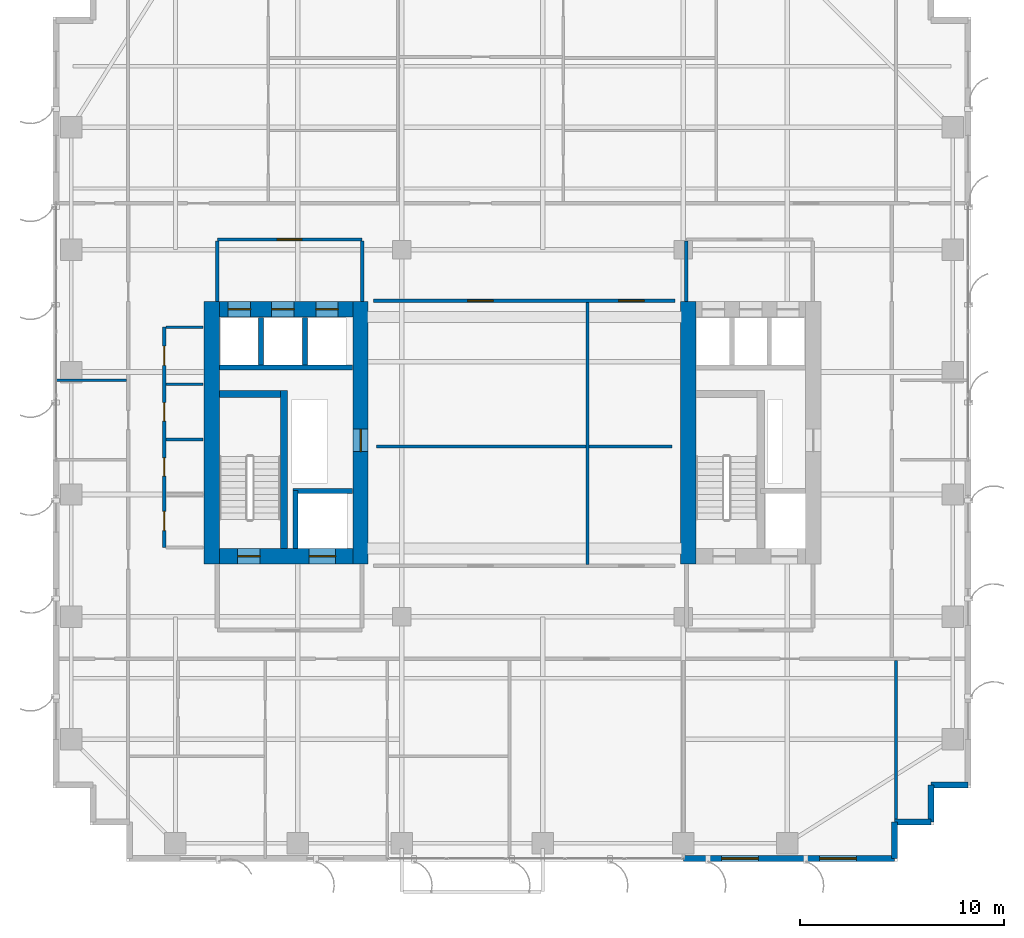
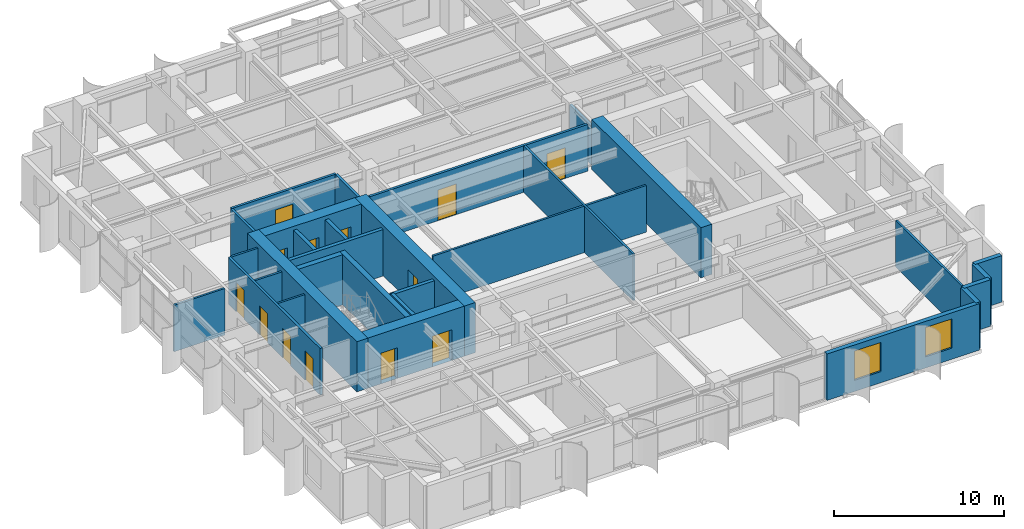
# One storey, part 17 of 23: 30 walls, 13 doors, 2 windows, 15 openings.
"""IFC4 building model written with IfcOpenShell, lengths in metres."""

from ifc_helpers import new_model, si_unit, direction, frame, frame_2d, origin, place, context, subcontext, project, spatial, rectangle, extrude, source, transform, mapped, material, layer, layer_set, type_object, element, fill, save


model = new_model("IFC4")

# Units and contexts
model_context = context("Model", 3, precision=1e-05, world=origin(), true_north=direction((0.0, 1.0)))
body_context = subcontext(model_context, "Body", "Model", "MODEL_VIEW")
ifc_project = project(units=[si_unit("LENGTHUNIT", "METRE"), si_unit("AREAUNIT", "SQUARE_METRE"), si_unit("VOLUMEUNIT", "CUBIC_METRE"), si_unit("PLANEANGLEUNIT", "RADIAN"), si_unit("MASSUNIT", "GRAM", prefix="KILO")], contexts=[model_context])

# Site, building, storey
site_placement = place(None, origin())
site = spatial("IfcSite", under=ifc_project, at=site_placement, CompositionType="ELEMENT")
building_placement = place(site_placement, origin())
building = spatial("IfcBuilding", under=site, at=building_placement, Name="Khoralis Quay Care Tower", CompositionType="ELEMENT")
storey_placement = place(building_placement, frame((0.0, 0.0, 119.699951171875)))
storey = spatial("IfcBuildingStorey", under=building, at=storey_placement, Name="L31", CompositionType="ELEMENT", Elevation=119.699951171875)

# Wall
ifc_material_1 = material(Name="Concrete C80/95", Category="concrete")
ifc_layer_1 = layer(ifc_material_1, 0.75)
ifc_layer_set_1 = layer_set([ifc_layer_1], Name="Concrete C80/95")
wall_type_1 = type_object("IfcWallType", Name="WL-CORE-750", PredefinedType="SHEAR", material=ifc_layer_set_1)
wall_1_placement = place(storey_placement, frame((7.77490234375, 14.60009765625, 0.0), z_axis=(0.0, 0.0, 1.0), x_axis=(0.0, 1.0, 0.0)))
element("IfcWall", 1, at=wall_1_placement, inside=storey, type_object=wall_type_1, Name="L31 WCORE West Shear Wall", PredefinedType="SHEAR", context=body_context, shape_type="SweptSolid", body=[
    extrude(rectangle(XDim=12.849853515625, YDim=0.75, at=frame_2d((6.4248046875, 0.0))), origin(), (0.0, 0.0, 1.0), 3.60009765625),
])

# Wall, opening, door
wall_2_placement = place(storey_placement, frame((15.074951171875, 14.60009765625, 0.0), z_axis=(0.0, 0.0, 1.0), x_axis=(0.0, 1.0, 0.0)))
wall_2 = element("IfcWall", 2, at=wall_2_placement, inside=storey, type_object=wall_type_1, Name="L31 WCORE East Shear Wall", PredefinedType="SHEAR", context=body_context, shape_type="SweptSolid", body=[
    extrude(rectangle(XDim=12.849853515625, YDim=0.75, at=frame_2d((6.4248046875, 0.0))), origin(), (0.0, 0.0, 1.0), 3.60009765625),
])
opening_1_placement = place(wall_2_placement, frame((5.5, 0.0, 0.0)))
opening_1 = element("IfcOpeningElement", 3, at=opening_1_placement, cuts=wall_2, Name="Opening SD1", PredefinedType="OPENING", context=body_context, shape_type="SweptSolid", body=[
    extrude(rectangle(XDim=1.10009765625, YDim=2.199951171875, at=frame_2d((0.550048828125, 1.10009765625))), frame((0.0, 0.385009765625, 0.0), z_axis=(0.0, -1.0, 0.0), x_axis=(1.0, 0.0, 0.0)), (0.0, 0.0, 1.0), 0.77001953125),
])
ifc_material_2 = material(Name="Fire-rated painted steel", Category="steel")
door_type_1 = type_object("IfcDoorType", Name="DR-STAIR-1100X2200", OperationType="NOTDEFINED", PredefinedType="DOOR", material=ifc_material_2)
shared_shape_1 = source(origin(), body_context, "Body", "SweptSolid", [
    extrude(rectangle(XDim=1.10009765625, YDim=2.199951171875, at=frame_2d((0.550048828125, 1.10009765625))), frame((0.0, 0.02490234375, 0.0), z_axis=(0.0, -1.0, 0.0), x_axis=(1.0, 0.0, 0.0)), (0.0, 0.0, 1.0), 0.050048828125),
])
door_1_placement = place(opening_1_placement, origin())
door_1 = element("IfcDoor", 4, at=door_1_placement, inside=storey, type_object=door_type_1, Name="L31 West MEP Riser Door", OperationType="SINGLE_SWING_LEFT", OverallHeight=2.199951171875, OverallWidth=1.10009765625, PredefinedType="DOOR", context=body_context, shape_type="MappedRepresentation", body=[
    mapped(shared_shape_1, transform((0.0, 0.0, 0.0), scale=1.0)),
])
fill(opening_1, door_1)

# Wall, openings, doors
wall_3_placement = place(storey_placement, frame((8.14990234375, 14.97509765625, 0.0), z_axis=(0.0, 0.0, 1.0), x_axis=(1.0, 0.0, 0.0)))
wall_3 = element("IfcWall", 5, at=wall_3_placement, inside=storey, type_object=wall_type_1, Name="L31 WCORE South Shear Wall", PredefinedType="SHEAR", context=body_context, shape_type="SweptSolid", body=[
    extrude(rectangle(XDim=6.550048828125, YDim=0.75, at=frame_2d((3.27490234375, 0.0))), origin(), (0.0, 0.0, 1.0), 3.60009765625),
])
opening_2_placement = place(wall_3_placement, frame((0.89990234375, 0.0, 0.0)))
opening_2 = element("IfcOpeningElement", 6, at=opening_2_placement, cuts=wall_3, Name="Opening SD1", PredefinedType="OPENING", context=body_context, shape_type="SweptSolid", body=[
    extrude(rectangle(XDim=1.10009765625, YDim=2.199951171875, at=frame_2d((0.550048828125, 1.10009765625))), frame((0.0, 0.385009765625, 0.0), z_axis=(0.0, -1.0, 0.0), x_axis=(1.0, 0.0, 0.0)), (0.0, 0.0, 1.0), 0.77001953125),
])
opening_3_placement = place(wall_3_placement, frame((4.39990234375, 0.0, 0.0)))
opening_3 = element("IfcOpeningElement", 7, at=opening_3_placement, cuts=wall_3, Name="Opening LD2", PredefinedType="OPENING", context=body_context, shape_type="SweptSolid", body=[
    extrude(rectangle(XDim=1.300048828125, YDim=2.199951171875, at=frame_2d((0.64990234375, 1.10009765625))), frame((0.0, 0.385009765625, 0.0), z_axis=(0.0, -1.0, 0.0), x_axis=(1.0, 0.0, 0.0)), (0.0, 0.0, 1.0), 0.77001953125),
])
door_2_placement = place(opening_2_placement, origin())
door_2 = element("IfcDoor", 8, at=door_2_placement, inside=storey, type_object=door_type_1, Name="L31 Stair ST-T1 Fire Door", OperationType="SINGLE_SWING_LEFT", OverallHeight=2.199951171875, OverallWidth=1.10009765625, PredefinedType="DOOR", context=body_context, shape_type="MappedRepresentation", body=[
    mapped(shared_shape_1, transform((0.0, 0.0, 0.0), scale=1.0)),
])
fill(opening_2, door_2)
ifc_material_3 = material(Name="Brushed stainless steel", Category="steel")
door_type_2 = type_object("IfcDoorType", Name="DR-LIFT-1300X2200", OperationType="SLIDING_TO_RIGHT", PredefinedType="DOOR", material=ifc_material_3)
shared_shape_2 = source(origin(), body_context, "Body", "SweptSolid", [
    extrude(rectangle(XDim=1.300048828125, YDim=2.199951171875, at=frame_2d((0.64990234375, 1.10009765625))), frame((0.0, 0.02490234375, 0.0), z_axis=(0.0, -1.0, 0.0), x_axis=(1.0, 0.0, 0.0)), (0.0, 0.0, 1.0), 0.050048828125),
])
door_3_placement = place(opening_3_placement, origin())
door_3 = element("IfcDoor", 9, at=door_3_placement, inside=storey, type_object=door_type_2, Name="L31 Firefighting Lift FFL-1 Landing Door", OperationType="SLIDING_TO_RIGHT", OverallHeight=2.199951171875, OverallWidth=1.300048828125, PredefinedType="DOOR", context=body_context, shape_type="MappedRepresentation", body=[
    mapped(shared_shape_2, transform((0.0, 0.0, 0.0), scale=1.0)),
])
fill(opening_3, door_3)

wall_4_placement = place(storey_placement, frame((8.14990234375, 27.074951171875, 0.0), z_axis=(0.0, 0.0, 1.0), x_axis=(1.0, 0.0, 0.0)))
wall_4 = element("IfcWall", 10, at=wall_4_placement, inside=storey, type_object=wall_type_1, Name="L31 WCORE North Shear Wall", PredefinedType="SHEAR", context=body_context, shape_type="SweptSolid", body=[
    extrude(rectangle(XDim=6.550048828125, YDim=0.75, at=frame_2d((3.27490234375, 0.0))), origin(), (0.0, 0.0, 1.0), 3.60009765625),
])
opening_4_placement = place(wall_4_placement, frame((0.429931640625, 0.0, 0.0)))
opening_4 = element("IfcOpeningElement", 11, at=opening_4_placement, cuts=wall_4, Name="Opening LD1", PredefinedType="OPENING", context=body_context, shape_type="SweptSolid", body=[
    extrude(rectangle(XDim=1.10009765625, YDim=2.199951171875, at=frame_2d((0.550048828125, 1.10009765625))), frame((0.0, 0.385009765625, 0.0), z_axis=(0.0, -1.0, 0.0), x_axis=(1.0, 0.0, 0.0)), (0.0, 0.0, 1.0), 0.77001953125),
])
opening_5_placement = place(wall_4_placement, frame((2.570068359375, 0.0, 0.0)))
opening_5 = element("IfcOpeningElement", 12, at=opening_5_placement, cuts=wall_4, Name="Opening LD1", PredefinedType="OPENING", context=body_context, shape_type="SweptSolid", body=[
    extrude(rectangle(XDim=1.10009765625, YDim=2.199951171875, at=frame_2d((0.550048828125, 1.10009765625))), frame((0.0, 0.385009765625, 0.0), z_axis=(0.0, -1.0, 0.0), x_axis=(1.0, 0.0, 0.0)), (0.0, 0.0, 1.0), 0.77001953125),
])
opening_6_placement = place(wall_4_placement, frame((4.72998046875, 0.0, 0.0)))
opening_6 = element("IfcOpeningElement", 13, at=opening_6_placement, cuts=wall_4, Name="Opening LD1", PredefinedType="OPENING", context=body_context, shape_type="SweptSolid", body=[
    extrude(rectangle(XDim=1.10009765625, YDim=2.199951171875, at=frame_2d((0.550048828125, 1.10009765625))), frame((0.0, 0.385009765625, 0.0), z_axis=(0.0, -1.0, 0.0), x_axis=(1.0, 0.0, 0.0)), (0.0, 0.0, 1.0), 0.77001953125),
])
door_type_3 = type_object("IfcDoorType", Name="DR-LIFT-1100X2200", OperationType="SLIDING_TO_LEFT", PredefinedType="DOOR", material=ifc_material_3)
shared_shape_3 = source(origin(), body_context, "Body", "SweptSolid", [
    extrude(rectangle(XDim=1.10009765625, YDim=2.199951171875, at=frame_2d((0.550048828125, 1.10009765625))), frame((0.0, 0.02490234375, 0.0), z_axis=(0.0, -1.0, 0.0), x_axis=(1.0, 0.0, 0.0)), (0.0, 0.0, 1.0), 0.050048828125),
])
door_4_placement = place(opening_4_placement, origin())
door_4 = element("IfcDoor", 14, at=door_4_placement, inside=storey, type_object=door_type_3, Name="L31 Lift PLL1 Landing Door", OperationType="SLIDING_TO_LEFT", OverallHeight=2.199951171875, OverallWidth=1.10009765625, PredefinedType="DOOR", context=body_context, shape_type="MappedRepresentation", body=[
    mapped(shared_shape_3, transform((0.0, 0.0, 0.0), scale=1.0)),
])
fill(opening_4, door_4)
door_5_placement = place(opening_5_placement, origin())
door_5 = element("IfcDoor", 15, at=door_5_placement, inside=storey, type_object=door_type_3, Name="L31 Lift PLM1 Landing Door", OperationType="SLIDING_TO_LEFT", OverallHeight=2.199951171875, OverallWidth=1.10009765625, PredefinedType="DOOR", context=body_context, shape_type="MappedRepresentation", body=[
    mapped(shared_shape_3, transform((0.0, 0.0, 0.0), scale=1.0)),
])
fill(opening_5, door_5)
door_6_placement = place(opening_6_placement, origin())
door_6 = element("IfcDoor", 16, at=door_6_placement, inside=storey, type_object=door_type_3, Name="L31 Lift PLH1 Landing Door", OperationType="SLIDING_TO_LEFT", OverallHeight=2.199951171875, OverallWidth=1.10009765625, PredefinedType="DOOR", context=body_context, shape_type="MappedRepresentation", body=[
    mapped(shared_shape_3, transform((0.0, 0.0, 0.0), scale=1.0)),
])
fill(opening_6, door_6)

# Wall
wall_5_placement = place(storey_placement, frame((31.14501953125, 14.60009765625, 0.0), z_axis=(0.0, 0.0, 1.0), x_axis=(0.0, 1.0, 0.0)))
element("IfcWall", 17, at=wall_5_placement, inside=storey, type_object=wall_type_1, Name="L31 ECORE West Shear Wall", PredefinedType="SHEAR", context=body_context, shape_type="SweptSolid", body=[
    extrude(rectangle(XDim=12.849853515625, YDim=0.75, at=frame_2d((6.4248046875, 0.0))), origin(), (0.0, 0.0, 1.0), 3.60009765625),
])

# Wall, opening, door
ifc_material_4 = material(Name="Gypsum plasterboard on acoustic metal stud")
ifc_layer_2 = layer(ifc_material_4, 0.1650390625)
ifc_layer_set_2 = layer_set([ifc_layer_2], Name="Gypsum plasterboard on acoustic metal stud")
wall_type_2 = type_object("IfcWallType", Name="WL-CORR-165", PredefinedType="PARTITIONING", material=ifc_layer_set_2)
wall_6_placement = place(storey_placement, frame((8.050048828125, 30.5, 0.0), z_axis=(0.0, 0.0, 1.0), x_axis=(1.0, 0.0, 0.0)))
wall_6 = element("IfcWall", 18, at=wall_6_placement, inside=storey, type_object=wall_type_2, Name="L31 West Lift Lobby North Wall", PredefinedType="PARTITIONING", context=body_context, shape_type="SweptSolid", body=[
    extrude(rectangle(XDim=7.099853515625, YDim=0.1650390625, at=frame_2d((3.5498046875, 0.0))), origin(), (0.0, 0.0, 1.0), 3.340087890625),
])
opening_7_placement = place(wall_6_placement, frame((2.949951171875, 0.0, 0.0)))
opening_7 = element("IfcOpeningElement", 19, at=opening_7_placement, cuts=wall_6, Name="Opening FD1", PredefinedType="OPENING", context=body_context, shape_type="SweptSolid", body=[
    extrude(rectangle(XDim=1.199951171875, YDim=2.199951171875, at=frame_2d((0.60009765625, 1.10009765625))), frame((0.0, 0.092529296875, 0.0), z_axis=(0.0, -1.0, 0.0), x_axis=(1.0, 0.0, 0.0)), (0.0, 0.0, 1.0), 0.18505859375),
])
door_type_4 = type_object("IfcDoorType", Name="DR-FFL-1200X2200", OperationType="NOTDEFINED", PredefinedType="DOOR", material=ifc_material_2)
shared_shape_4 = source(origin(), body_context, "Body", "SweptSolid", [
    extrude(rectangle(XDim=1.199951171875, YDim=2.199951171875, at=frame_2d((0.60009765625, 1.10009765625))), frame((0.0, 0.02490234375, 0.0), z_axis=(0.0, -1.0, 0.0), x_axis=(1.0, 0.0, 0.0)), (0.0, 0.0, 1.0), 0.050048828125),
])
door_7_placement = place(opening_7_placement, origin())
door_7 = element("IfcDoor", 20, at=door_7_placement, inside=storey, type_object=door_type_4, Name="L31 West Lift Lobby Double Door", OperationType="DOUBLE_DOOR_SINGLE_SWING", OverallHeight=2.199951171875, OverallWidth=1.199951171875, PredefinedType="DOOR", context=body_context, shape_type="MappedRepresentation", body=[
    mapped(shared_shape_4, transform((0.0, 0.0, 0.0), scale=1.0)),
])
fill(opening_7, door_7)

# Walls
for number, where, z_axis, x_axis, name in (
    (21, (8.050048828125, 27.469970703125, 0.0), (0.0, 0.0, 1.0), (0.0, 1.0, 0.0), "L31 West Lift Lobby West Wall"),
    (22, (15.14990234375, 27.469970703125, 0.0), (0.0, 0.0, 1.0), (0.0, 1.0, 0.0), "L31 West Lift Lobby East Wall"),
):
    element("IfcWall", number, at=place(storey_placement, frame(where, z_axis=z_axis, x_axis=x_axis)), inside=storey, type_object=wall_type_2, Name=name, PredefinedType="PARTITIONING", context=body_context, shape_type="SweptSolid", body=[
        extrude(rectangle(XDim=2.95263671875, YDim=0.1650390625, at=frame_2d((1.476318359375, 0.0))), origin(), (0.0, 0.0, 1.0), 3.340087890625),
    ])
wall_7_placement = place(storey_placement, frame((31.050048828125, 27.469970703125, 0.0), z_axis=(0.0, 0.0, 1.0), x_axis=(0.0, 1.0, 0.0)))
element("IfcWall", 23, at=wall_7_placement, inside=storey, type_object=wall_type_2, Name="L31 East Lift Lobby West Wall", PredefinedType="PARTITIONING", context=body_context, shape_type="SweptSolid", body=[
    extrude(rectangle(XDim=2.95263671875, YDim=0.1650390625, at=frame_2d((1.476318359375, 0.0))), origin(), (0.0, 0.0, 1.0), 2.796142578125),
])

# Wall, openings, doors
wall_8_placement = place(storey_placement, frame((5.449951171875, 15.39990234375, 0.0), z_axis=(0.0, 0.0, 1.0), x_axis=(0.0, 1.0, 0.0)))
wall_8 = element("IfcWall", 24, at=wall_8_placement, inside=storey, type_object=wall_type_2, Name="L31 West Core Service Flank Wall", PredefinedType="PARTITIONING", context=body_context, shape_type="SweptSolid", body=[
    extrude(rectangle(XDim=10.800048828125, YDim=0.1650390625, at=frame_2d((5.39990234375, 0.0))), origin(), (0.0, 0.0, 1.0), 3.340087890625),
])
opening_8_placement = place(wall_8_placement, frame((0.824951171875, 0.0, 0.0)))
opening_8 = element("IfcOpeningElement", 25, at=opening_8_placement, cuts=wall_8, Name="Opening ID1", PredefinedType="OPENING", context=body_context, shape_type="SweptSolid", body=[
    extrude(rectangle(XDim=0.949951171875, YDim=2.10009765625, at=frame_2d((0.47509765625, 1.050048828125))), frame((0.0, 0.092529296875, 0.0), z_axis=(0.0, -1.0, 0.0), x_axis=(1.0, 0.0, 0.0)), (0.0, 0.0, 1.0), 0.18505859375),
])
opening_9_placement = place(wall_8_placement, frame((3.5, 0.0, 0.0)))
opening_9 = element("IfcOpeningElement", 26, at=opening_9_placement, cuts=wall_8, Name="Opening WD1", PredefinedType="OPENING", context=body_context, shape_type="SweptSolid", body=[
    extrude(rectangle(XDim=0.89990234375, YDim=2.10009765625, at=frame_2d((0.449951171875, 1.050048828125))), frame((0.0, 0.092529296875, 0.0), z_axis=(0.0, -1.0, 0.0), x_axis=(1.0, 0.0, 0.0)), (0.0, 0.0, 1.0), 0.18505859375),
])
opening_10_placement = place(wall_8_placement, frame((6.199951171875, 0.0, 0.0)))
opening_10 = element("IfcOpeningElement", 27, at=opening_10_placement, cuts=wall_8, Name="Opening WD1", PredefinedType="OPENING", context=body_context, shape_type="SweptSolid", body=[
    extrude(rectangle(XDim=0.89990234375, YDim=2.10009765625, at=frame_2d((0.449951171875, 1.050048828125))), frame((0.0, 0.092529296875, 0.0), z_axis=(0.0, -1.0, 0.0), x_axis=(1.0, 0.0, 0.0)), (0.0, 0.0, 1.0), 0.18505859375),
])
opening_11_placement = place(wall_8_placement, frame((8.925048828125, 0.0, 0.0)))
opening_11 = element("IfcOpeningElement", 28, at=opening_11_placement, cuts=wall_8, Name="Opening ID1", PredefinedType="OPENING", context=body_context, shape_type="SweptSolid", body=[
    extrude(rectangle(XDim=0.949951171875, YDim=2.10009765625, at=frame_2d((0.47509765625, 1.050048828125))), frame((0.0, 0.092529296875, 0.0), z_axis=(0.0, -1.0, 0.0), x_axis=(1.0, 0.0, 0.0)), (0.0, 0.0, 1.0), 0.18505859375),
])
ifc_material_5 = material(Name="Acoustic hardwood timber", Category="wood")
door_type_5 = type_object("IfcDoorType", Name="DR-BATH-900X2100", OperationType="NOTDEFINED", PredefinedType="DOOR", material=ifc_material_5)
shared_shape_5 = source(origin(), body_context, "Body", "SweptSolid", [
    extrude(rectangle(XDim=0.89990234375, YDim=2.10009765625, at=frame_2d((0.449951171875, 1.050048828125))), frame((0.0, 0.02490234375, 0.0), z_axis=(0.0, -1.0, 0.0), x_axis=(1.0, 0.0, 0.0)), (0.0, 0.0, 1.0), 0.050048828125),
])
door_8_placement = place(opening_9_placement, frame((0.89990234375, 0.0, 0.0), z_axis=(0.0, 0.0, 1.0), x_axis=(-1.0, 0.0, 0.0)))
door_8 = element("IfcDoor", 29, at=door_8_placement, inside=storey, type_object=door_type_5, Name="L31 Public Accessible WC Door", OperationType="SINGLE_SWING_LEFT", OverallHeight=2.10009765625, OverallWidth=0.89990234375, PredefinedType="DOOR", context=body_context, shape_type="MappedRepresentation", body=[
    mapped(shared_shape_5, transform((0.0, 0.0, 0.0), scale=1.0)),
])
fill(opening_9, door_8)
door_9_placement = place(opening_10_placement, frame((0.89990234375, 0.0, 0.0), z_axis=(0.0, 0.0, 1.0), x_axis=(-1.0, 0.0, 0.0)))
door_9 = element("IfcDoor", 30, at=door_9_placement, inside=storey, type_object=door_type_5, Name="L31 Staff Accessible WC Door", OperationType="SINGLE_SWING_RIGHT", OverallHeight=2.10009765625, OverallWidth=0.89990234375, PredefinedType="DOOR", context=body_context, shape_type="MappedRepresentation", body=[
    mapped(shared_shape_5, transform((0.0, 0.0, 0.0), scale=1.0)),
])
fill(opening_10, door_9)
door_type_6 = type_object("IfcDoorType", Name="DR-ROOM-950X2100", OperationType="NOTDEFINED", PredefinedType="DOOR", material=ifc_material_5)
shared_shape_6 = source(origin(), body_context, "Body", "SweptSolid", [
    extrude(rectangle(XDim=0.949951171875, YDim=2.10009765625, at=frame_2d((0.47509765625, 1.050048828125))), frame((0.0, 0.02490234375, 0.0), z_axis=(0.0, -1.0, 0.0), x_axis=(1.0, 0.0, 0.0)), (0.0, 0.0, 1.0), 0.050048828125),
])
door_10_placement = place(opening_8_placement, frame((0.949951171875, 0.0, 0.0), z_axis=(0.0, 0.0, 1.0), x_axis=(-1.0, 0.0, 0.0)))
door_10 = element("IfcDoor", 31, at=door_10_placement, inside=storey, type_object=door_type_6, Name="L31 Housekeeping Store Door", OperationType="SINGLE_SWING_RIGHT", OverallHeight=2.10009765625, OverallWidth=0.949951171875, PredefinedType="DOOR", context=body_context, shape_type="MappedRepresentation", body=[
    mapped(shared_shape_6, transform((0.0, 0.0, 0.0), scale=1.0)),
])
fill(opening_8, door_10)
door_11_placement = place(opening_11_placement, frame((0.949951171875, 0.0, 0.0), z_axis=(0.0, 0.0, 1.0), x_axis=(-1.0, 0.0, 0.0)))
door_11 = element("IfcDoor", 32, at=door_11_placement, inside=storey, type_object=door_type_6, Name="L31 Telecom IDF Room Door", OperationType="SINGLE_SWING_LEFT", OverallHeight=2.10009765625, OverallWidth=0.949951171875, PredefinedType="DOOR", context=body_context, shape_type="MappedRepresentation", body=[
    mapped(shared_shape_6, transform((0.0, 0.0, 0.0), scale=1.0)),
])
fill(opening_11, door_11)

wall_9_placement = place(storey_placement, frame((15.699951171875, 27.5, 0.0), z_axis=(0.0, 0.0, 1.0), x_axis=(1.0, 0.0, 0.0)))
wall_9 = element("IfcWall", 33, at=wall_9_placement, inside=storey, type_object=wall_type_2, Name="L31 Central Clinical North Wall", PredefinedType="PARTITIONING", context=body_context, shape_type="SweptSolid", body=[
    extrude(rectangle(XDim=14.800048828125, YDim=0.1650390625, at=frame_2d((7.39990234375, 0.0))), origin(), (0.0, 0.0, 1.0), 3.340087890625),
])
opening_12_placement = place(wall_9_placement, frame((4.625, 0.0, 0.0)))
opening_12 = element("IfcOpeningElement", 34, at=opening_12_placement, cuts=wall_9, Name="Opening CD1", PredefinedType="OPENING", context=body_context, shape_type="SweptSolid", body=[
    extrude(rectangle(XDim=1.25, YDim=2.199951171875, at=frame_2d((0.625, 1.10009765625))), frame((0.0, 0.092529296875, 0.0), z_axis=(0.0, -1.0, 0.0), x_axis=(1.0, 0.0, 0.0)), (0.0, 0.0, 1.0), 0.18505859375),
])
opening_13_placement = place(wall_9_placement, frame((12.02490234375, 0.0, 0.0)))
opening_13 = element("IfcOpeningElement", 35, at=opening_13_placement, cuts=wall_9, Name="Opening CD1", PredefinedType="OPENING", context=body_context, shape_type="SweptSolid", body=[
    extrude(rectangle(XDim=1.25, YDim=2.199951171875, at=frame_2d((0.625, 1.10009765625))), frame((0.0, 0.092529296875, 0.0), z_axis=(0.0, -1.0, 0.0), x_axis=(1.0, 0.0, 0.0)), (0.0, 0.0, 1.0), 0.18505859375),
])
door_type_7 = type_object("IfcDoorType", Name="DR-CARE-1250X2200", OperationType="NOTDEFINED", PredefinedType="DOOR", material=ifc_material_5)
shared_shape_7 = source(origin(), body_context, "Body", "SweptSolid", [
    extrude(rectangle(XDim=1.25, YDim=2.199951171875, at=frame_2d((0.625, 1.10009765625))), frame((0.0, 0.02490234375, 0.0), z_axis=(0.0, -1.0, 0.0), x_axis=(1.0, 0.0, 0.0)), (0.0, 0.0, 1.0), 0.050048828125),
])
door_12_placement = place(opening_12_placement, frame((1.25, 0.0, 0.0), z_axis=(0.0, 0.0, 1.0), x_axis=(-1.0, 0.0, 0.0)))
door_12 = element("IfcDoor", 36, at=door_12_placement, inside=storey, type_object=door_type_7, Name="L31 Library Lounge Door", OperationType="SINGLE_SWING_LEFT", OverallHeight=2.199951171875, OverallWidth=1.25, PredefinedType="DOOR", context=body_context, shape_type="MappedRepresentation", body=[
    mapped(shared_shape_7, transform((0.0, 0.0, 0.0), scale=1.0)),
])
fill(opening_12, door_12)
door_13_placement = place(opening_13_placement, frame((1.25, 0.0, 0.0), z_axis=(0.0, 0.0, 1.0), x_axis=(-1.0, 0.0, 0.0)))
door_13 = element("IfcDoor", 37, at=door_13_placement, inside=storey, type_object=door_type_7, Name="L31 Occupational Therapy Door", OperationType="SINGLE_SWING_RIGHT", OverallHeight=2.199951171875, OverallWidth=1.25, PredefinedType="DOOR", context=body_context, shape_type="MappedRepresentation", body=[
    mapped(shared_shape_7, transform((0.0, 0.0, 0.0), scale=1.0)),
])
fill(opening_13, door_13)

# Wall, openings, windows
ifc_material_6 = material(Name="Precast concrete C45/55", Category="concrete")
ifc_layer_3 = layer(ifc_material_6, 0.300048828125)
ifc_layer_set_3 = layer_set([ifc_layer_3], Name="Precast concrete C45/55")
wall_type_3 = type_object("IfcWallType", Name="WL-EXT-REF-300", PredefinedType="SOLIDWALL", material=ifc_layer_set_3)
wall_10_placement = place(storey_placement, frame((30.909912109375, 0.14990234375, 0.0), z_axis=(0.0, 0.0, 1.0), x_axis=(1.0, 0.0, 0.0)))
wall_10 = element("IfcWall", 38, at=wall_10_placement, inside=storey, type_object=wall_type_3, Name="L31 External Facade Wall WL-EXT-L31-P1-E0B", PredefinedType="SOLIDWALL", context=body_context, shape_type="SweptSolid", body=[
    extrude(rectangle(XDim=10.340087890625, YDim=0.300048828125, at=frame_2d((5.169921875, 0.0))), origin(), (0.0, 0.0, 1.0), 3.340087890625),
])
opening_14_placement = place(wall_10_placement, frame((1.864990234375, 0.0, 0.800048828125)))
opening_14 = element("IfcOpeningElement", 39, at=opening_14_placement, cuts=wall_10, Name="Opening W2", PredefinedType="OPENING", context=body_context, shape_type="SweptSolid", body=[
    extrude(rectangle(XDim=1.800048828125, YDim=2.10009765625, at=frame_2d((0.89990234375, 1.050048828125))), frame((0.0, 0.16015625, 0.0), z_axis=(0.0, -1.0, 0.0), x_axis=(1.0, 0.0, 0.0)), (0.0, 0.0, 1.0), 0.320068359375),
])
opening_15_placement = place(wall_10_placement, frame((6.675048828125, 0.0, 0.800048828125)))
opening_15 = element("IfcOpeningElement", 40, at=opening_15_placement, cuts=wall_10, Name="Opening W2", PredefinedType="OPENING", context=body_context, shape_type="SweptSolid", body=[
    extrude(rectangle(XDim=1.800048828125, YDim=2.10009765625, at=frame_2d((0.89990234375, 1.050048828125))), frame((0.0, 0.16015625, 0.0), z_axis=(0.0, -1.0, 0.0), x_axis=(1.0, 0.0, 0.0)), (0.0, 0.0, 1.0), 0.320068359375),
])
ifc_material_7 = material(Name="Low-E solar-control double glazing", Category="glass")
window_type = type_object("IfcWindowType", Name="WN-POD-1800X2100", PartitioningType="SINGLE_PANEL", PredefinedType="WINDOW", material=ifc_material_7)
shared_shape_8 = source(origin(), body_context, "Body", "SweptSolid", [
    extrude(rectangle(XDim=1.800048828125, YDim=2.10009765625, at=frame_2d((0.89990234375, 1.050048828125))), frame((0.0, 0.030029296875, 0.0), z_axis=(0.0, -1.0, 0.0), x_axis=(1.0, 0.0, 0.0)), (0.0, 0.0, 1.0), 0.06005859375),
])
window_1_placement = place(opening_14_placement, origin())
window_1 = element("IfcWindow", 41, at=window_1_placement, inside=storey, type_object=window_type, Name="WN-L31-P1-E0B Facade Window 01", OverallHeight=2.10009765625, OverallWidth=1.800048828125, PartitioningType="SINGLE_PANEL", PredefinedType="WINDOW", context=body_context, shape_type="MappedRepresentation", body=[
    mapped(shared_shape_8, transform((0.0, 0.0, 0.0), scale=1.0)),
])
fill(opening_14, window_1)
window_2_placement = place(opening_15_placement, origin())
window_2 = element("IfcWindow", 42, at=window_2_placement, inside=storey, type_object=window_type, Name="WN-L31-P1-E0B Facade Window 02", OverallHeight=2.10009765625, OverallWidth=1.800048828125, PartitioningType="SINGLE_PANEL", PredefinedType="WINDOW", context=body_context, shape_type="MappedRepresentation", body=[
    mapped(shared_shape_8, transform((0.0, 0.0, 0.0), scale=1.0)),
])
fill(opening_15, window_2)

# Walls
for number, where, z_axis, x_axis, name in (
    (43, (41.25, 0.14990234375, 0.0), (0.0, 0.0, 1.0), (0.0, 1.0, 0.0), "L31 External Facade Wall WL-EXT-L31-P1-C1"),
    (44, (41.25, 1.949951171875, 0.0), (0.0, 0.0, 1.0), (1.0, 0.0, 0.0), "L31 External Facade Wall WL-EXT-L31-P1-C2"),
    (45, (43.050048828125, 1.949951171875, 0.0), (0.0, 0.0, 1.0), (0.0, 1.0, 0.0), "L31 External Facade Wall WL-EXT-L31-P1-C3"),
    (46, (43.050048828125, 3.75, 0.0), (0.0, 0.0, 1.0), (1.0, 0.0, 0.0), "L31 External Facade Wall WL-EXT-L31-P1-C4"),
):
    element("IfcWall", number, at=place(storey_placement, frame(where, z_axis=z_axis, x_axis=x_axis)), inside=storey, type_object=wall_type_3, Name=name, PredefinedType="SOLIDWALL", context=body_context, shape_type="SweptSolid", body=[
        extrude(rectangle(XDim=1.800048828125, YDim=0.300048828125, at=frame_2d((0.89990234375, 0.0))), origin(), (0.0, 0.0, 1.0), 3.340087890625),
    ])
ifc_material_8 = material(Name="Moisture-resistant gypsum and ceramic tile")
ifc_layer_4 = layer(ifc_material_8, 0.280029296875)
ifc_layer_set_4 = layer_set([ifc_layer_4], Name="Moisture-resistant gypsum and ceramic tile")
wall_type_4 = type_object("IfcWallType", Name="WL-PLUMB-280", PredefinedType="PLUMBINGWALL", material=ifc_layer_set_4)
wall_11_placement = place(storey_placement, frame((5.527587890625, 20.699951171875, 0.0), z_axis=(0.0, 0.0, 1.0), x_axis=(1.0, 0.0, 0.0)))
element("IfcWall", 47, at=wall_11_placement, inside=storey, type_object=wall_type_4, Name="L31 West Flank Divider 2", PredefinedType="PLUMBINGWALL", context=body_context, shape_type="SweptSolid", body=[
    extrude(rectangle(XDim=1.83251953125, YDim=0.139892578125, at=frame_2d((0.916259765625, 0.0))), origin(), (0.0, 0.0, 1.0), 3.340087890625),
])
ifc_material_9 = material(Name="Concrete C40/50", Category="concrete")
ifc_layer_5 = layer(ifc_material_9, 0.35009765625)
ifc_layer_set_5 = layer_set([ifc_layer_5], Name="Concrete C40/50")
wall_type_5 = type_object("IfcWallType", Name="WL-SC-CORE-350", PredefinedType="SHEAR", material=ifc_layer_set_5)
wall_12_placement = place(storey_placement, frame((11.324951171875, 15.35009765625, 0.0), z_axis=(0.0, 0.0, 1.0), x_axis=(0.0, 1.0, 0.0)))
element("IfcWall", 48, at=wall_12_placement, inside=storey, type_object=wall_type_5, Name="L31 Stair ST-T1 Shear Baffle Wall East", PredefinedType="SHEAR", context=body_context, shape_type="SweptSolid", body=[
    extrude(rectangle(XDim=7.75, YDim=0.35009765625, at=frame_2d((3.875, 0.0))), origin(), (0.0, 0.0, 1.0), 3.60009765625),
])
wall_13_placement = place(storey_placement, frame((8.14990234375, 22.925048828125, 0.0), z_axis=(0.0, 0.0, 1.0), x_axis=(1.0, 0.0, 0.0)))
element("IfcWall", 49, at=wall_13_placement, inside=storey, type_object=wall_type_5, Name="L31 Stair ST-T1 Shear Baffle Wall North", PredefinedType="SHEAR", context=body_context, shape_type="SweptSolid", body=[
    extrude(rectangle(XDim=3.0, YDim=0.35009765625, at=frame_2d((1.5, 0.0))), origin(), (0.0, 0.0, 1.0), 3.60009765625),
])
ifc_layer_6 = layer(ifc_material_4, 0.239990234375)
ifc_layer_set_6 = layer_set([ifc_layer_6], Name="Gypsum plasterboard on acoustic metal stud")
wall_type_6 = type_object("IfcWallType", Name="WL-SHAFT-240", PredefinedType="PARTITIONING", material=ifc_layer_set_6)
wall_14_placement = place(storey_placement, frame((11.8798828125, 15.35009765625, 0.0), z_axis=(0.0, 0.0, 1.0), x_axis=(0.0, 1.0, 0.0)))
element("IfcWall", 50, at=wall_14_placement, inside=storey, type_object=wall_type_6, Name="L31 FFL-1 Shaft Wall West", PredefinedType="PARTITIONING", context=body_context, shape_type="SweptSolid", body=[
    extrude(rectangle(XDim=2.849853515625, YDim=0.239990234375, at=frame_2d((1.4248046875, 0.0))), origin(), (0.0, 0.0, 1.0), 3.340087890625),
])
wall_15_placement = place(storey_placement, frame((11.760009765625, 18.169921875, 0.0), z_axis=(0.0, 0.0, 1.0), x_axis=(1.0, 0.0, 0.0)))
element("IfcWall", 51, at=wall_15_placement, inside=storey, type_object=wall_type_6, Name="L31 FFL-1 Shaft Wall North", PredefinedType="PARTITIONING", context=body_context, shape_type="SweptSolid", body=[
    extrude(rectangle(XDim=2.919921875, YDim=0.239990234375, at=frame_2d((1.4599609375, 0.0))), origin(), (0.0, 0.0, 1.0), 3.340087890625),
])
wall_16_placement = place(storey_placement, frame((8.14990234375, 24.22998046875, 0.0), z_axis=(0.0, 0.0, 1.0), x_axis=(1.0, 0.0, 0.0)))
element("IfcWall", 52, at=wall_16_placement, inside=storey, type_object=wall_type_6, Name="L31 West Passenger Shaft South Wall", PredefinedType="PARTITIONING", context=body_context, shape_type="SweptSolid", body=[
    extrude(rectangle(XDim=6.530029296875, YDim=0.239990234375, at=frame_2d((3.26513671875, 0.0))), origin(), (0.0, 0.0, 1.0), 3.340087890625),
])
for number, where, z_axis, x_axis, name in (
    (53, (10.199951171875, 24.344970703125, 0.0), (0.0, 0.0, 1.0), (0.0, 1.0, 0.0), "L31 West Shaft Divider 1"),
    (54, (12.35009765625, 24.344970703125, 0.0), (0.0, 0.0, 1.0), (0.0, 1.0, 0.0), "L31 West Shaft Divider 2"),
):
    element("IfcWall", number, at=place(storey_placement, frame(where, z_axis=z_axis, x_axis=x_axis)), inside=storey, type_object=wall_type_6, Name=name, PredefinedType="PARTITIONING", context=body_context, shape_type="SweptSolid", body=[
        extrude(rectangle(XDim=2.3349609375, YDim=0.239990234375, at=frame_2d((1.16748046875, 0.0))), origin(), (0.0, 0.0, 1.0), 3.340087890625),
    ])
ifc_layer_7 = layer(ifc_material_4, 0.139892578125)
ifc_layer_set_7 = layer_set([ifc_layer_7], Name="Gypsum plasterboard on acoustic metal stud")
wall_type_7 = type_object("IfcWallType", Name="WL-UNIT-140", PredefinedType="PARTITIONING", material=ifc_layer_set_7)
for number, where, z_axis, x_axis, name in (
    (55, (5.527587890625, 26.199951171875, 0.0), (0.0, 0.0, 1.0), (1.0, 0.0, 0.0), "L31 West Flank North Cap"),
    (56, (5.527587890625, 23.39990234375, 0.0), (0.0, 0.0, 1.0), (1.0, 0.0, 0.0), "L31 West Flank Divider 3"),
):
    element("IfcWall", number, at=place(storey_placement, frame(where, z_axis=z_axis, x_axis=x_axis)), inside=storey, type_object=wall_type_7, Name=name, PredefinedType="PARTITIONING", context=body_context, shape_type="SweptSolid", body=[
        extrude(rectangle(XDim=1.83251953125, YDim=0.139892578125, at=frame_2d((0.916259765625, 0.0))), origin(), (0.0, 0.0, 1.0), 3.340087890625),
    ])
wall_17_placement = place(storey_placement, frame((0.14501953125, 23.60009765625, 0.0), z_axis=(0.0, 0.0, 1.0), x_axis=(1.0, 0.0, 0.0)))
element("IfcWall", 57, at=wall_17_placement, inside=storey, type_object=wall_type_7, Name="L31 WW Divider 2", PredefinedType="PARTITIONING", context=body_context, shape_type="SweptSolid", body=[
    extrude(rectangle(XDim=3.45751953125, YDim=0.139892578125, at=frame_2d((1.728759765625, 0.0))), origin(), (0.0, 0.0, 1.0), 3.340087890625),
])
wall_18_placement = place(storey_placement, frame((26.199951171875, 14.577392578125, 0.0), z_axis=(0.0, 0.0, 1.0), x_axis=(0.0, 1.0, 0.0)))
element("IfcWall", 58, at=wall_18_placement, inside=storey, type_object=wall_type_7, Name="L31 Central Split V", PredefinedType="PARTITIONING", context=body_context, shape_type="SweptSolid", body=[
    extrude(rectangle(XDim=12.84521484375, YDim=0.139892578125, at=frame_2d((6.422607421875, 0.0))), origin(), (0.0, 0.0, 1.0), 3.340087890625),
])
wall_19_placement = place(storey_placement, frame((15.85009765625, 20.35009765625, 0.0), z_axis=(0.0, 0.0, 1.0), x_axis=(1.0, 0.0, 0.0)))
element("IfcWall", 59, at=wall_19_placement, inside=storey, type_object=wall_type_7, Name="L31 Central Split H", PredefinedType="PARTITIONING", context=body_context, shape_type="SweptSolid", body=[
    extrude(rectangle(XDim=14.5, YDim=0.139892578125, at=frame_2d((7.25, 0.0))), origin(), (0.0, 0.0, 1.0), 3.340087890625),
])
wall_20_placement = place(storey_placement, frame((41.320068359375, 1.945068359375, 0.0), z_axis=(0.0, 0.0, 1.0), x_axis=(0.0, 1.0, 0.0)))
element("IfcWall", 60, at=wall_20_placement, inside=storey, type_object=wall_type_7, Name="L31 SB Demising Wall 3", PredefinedType="PARTITIONING", context=body_context, shape_type="SweptSolid", body=[
    extrude(rectangle(XDim=7.91748046875, YDim=0.139892578125, at=frame_2d((3.958740234375, 0.0))), origin(), (0.0, 0.0, 1.0), 3.340087890625),
])

save(model, "model.ifc")
